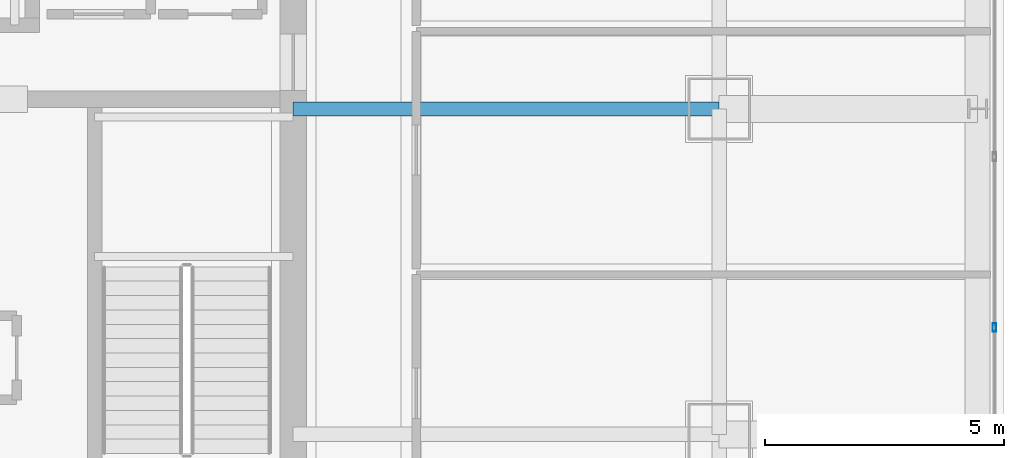
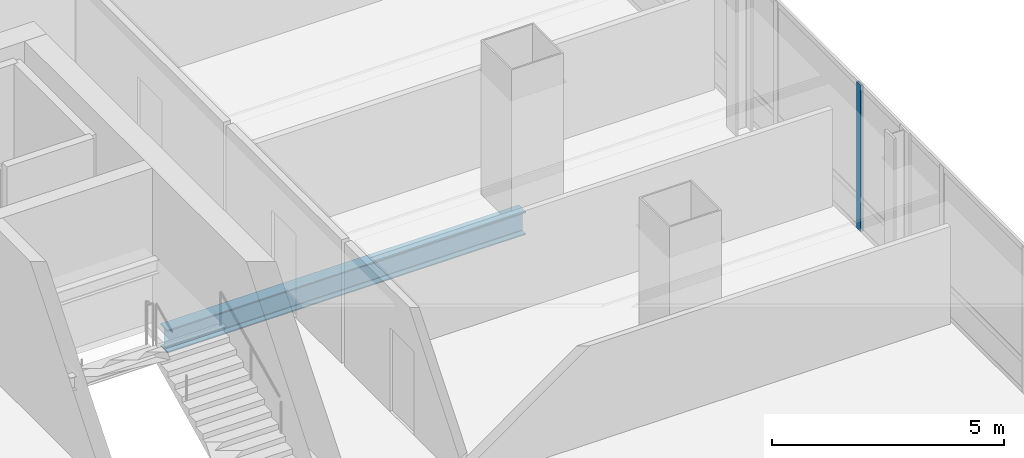
# One storey, part 18 of 39: 1 beam, 1 member, 1 element without a shape of its own.
"""IFC4 building model written with IfcOpenShell, lengths in metres."""

from ifc_helpers import new_model, si_unit, direction, frame, origin, origin_2d, place, context, subcontext, project, spatial, hollow_rectangle, i_section, extrude, material, material_profile, profile_set, type_object, element, aggregate, save


model = new_model("IFC4")

# Units and contexts
model_context = context("Model", 3, precision=1e-05, world=origin(), true_north=direction((0.0, 1.0)))
body_context = subcontext(model_context, "Body", "Model", "MODEL_VIEW")
ifc_project = project(units=[si_unit("LENGTHUNIT", "METRE"), si_unit("AREAUNIT", "SQUARE_METRE"), si_unit("VOLUMEUNIT", "CUBIC_METRE"), si_unit("PLANEANGLEUNIT", "RADIAN"), si_unit("MASSUNIT", "GRAM", prefix="KILO")], contexts=[model_context])

# Site, building, storey
site_placement = place(None, origin())
site = spatial("IfcSite", under=ifc_project, at=site_placement, CompositionType="ELEMENT")
building_placement = place(site_placement, origin())
building = spatial("IfcBuilding", under=site, at=building_placement, Name="Punatoya Terracotta Tower", CompositionType="ELEMENT")
storey_placement = place(building_placement, frame((0.0, 0.0, 275.699951171875)))
storey = spatial("IfcBuildingStorey", under=building, at=storey_placement, Name="L65", CompositionType="ELEMENT", Elevation=275.699951171875)

# Beam
ifc_material_1 = material(Name="Steel S355", Category="steel")
ifc_material_profile_1 = material_profile(ifc_material_1, i_section(OverallWidth=0.300048828125, OverallDepth=0.60009765625, WebThickness=0.015380859375, FlangeThickness=0.030029296875, FilletRadius=0.01806640625, at=origin_2d()))
ifc_profile_set_1 = profile_set([ifc_material_profile_1], Name="Steel S355")
beam_type = type_object("IfcBeamType", Name="BM-PRI-600", PredefinedType="BEAM", material=ifc_profile_set_1)
beam_placement = place(storey_placement, frame((10.199951171875, 3.39990234375, -0.5), z_axis=(1.0, 0.0, 0.0), x_axis=(0.0, 1.0, 0.0)))
element("IfcBeam", 1, at=beam_placement, inside=storey, type_object=beam_type, Name="BM-L65-PR-EE", PredefinedType="BEAM", context=body_context, shape_type="SweptSolid", body=[
    extrude(i_section(OverallWidth=0.300048828125, OverallDepth=0.60009765625, WebThickness=0.015380859375, FlangeThickness=0.030029296875, FilletRadius=0.01806640625, at=origin_2d()), origin(), (0.0, 0.0, 1.0), 8.900146484375),
])

# Curtain wall, member
ifc_material_2 = material(Name="Aluminium 6063-T6 + Double Low-E Glass", Category="aluminium")
curtain_wall_type = type_object("IfcCurtainWallType", Name="CW-M3", PredefinedType="NOTDEFINED", material=ifc_material_2)
curtain_wall_placement = place(storey_placement, origin())
curtain_wall = element("IfcCurtainWall", 2, at=curtain_wall_placement, inside=storey, type_object=curtain_wall_type, Name="L65 Curtain Wall CW-L65-E05-1", PredefinedType="NOTDEFINED")
ifc_material_3 = material(Name="Aluminium 6063-T6", Category="aluminium")
ifc_material_profile_2 = material_profile(ifc_material_3, hollow_rectangle(XDim=0.070068359375, YDim=0.179931640625, WallThickness=0.00390625, at=origin_2d()))
ifc_profile_set_2 = profile_set([ifc_material_profile_2], Name="Aluminium 6063-T6")
member_type = type_object("IfcMemberType", Name="CW-MUL-M3", PredefinedType="MULLION", material=ifc_profile_set_2)
member_placement = place(storey_placement, frame((24.85009765625, -1.16748046875, 0.0), z_axis=(0.0, 0.0, 1.0), x_axis=(1.0, 0.0, 0.0)))
member = element("IfcMember", 3, at=member_placement, type_object=member_type, Name="CW-L65-E05-1 Mullion 04", PredefinedType="MULLION", context=body_context, shape_type="SweptSolid", body=[
    extrude(hollow_rectangle(XDim=0.070068359375, YDim=0.179931640625, WallThickness=0.00390625, at=origin_2d()), origin(), (0.0, 0.0, 1.0), 3.85009765625),
])
aggregate(curtain_wall, [member])

save(model, "model.ifc")
